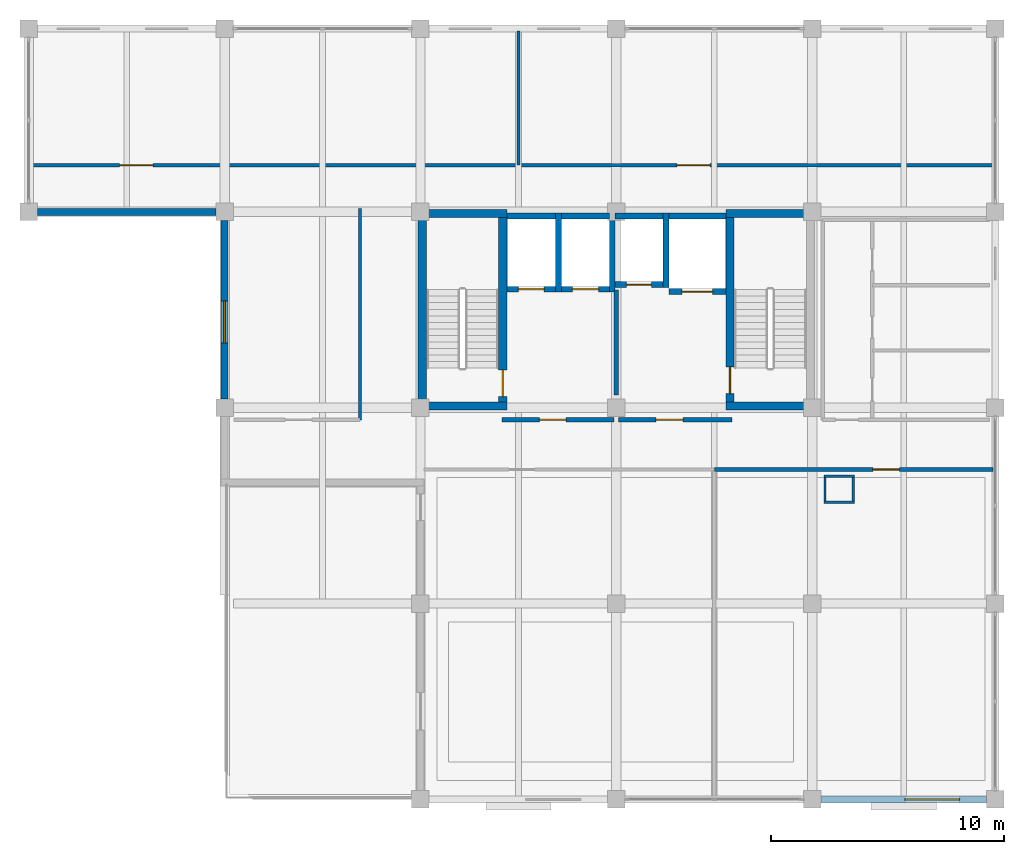
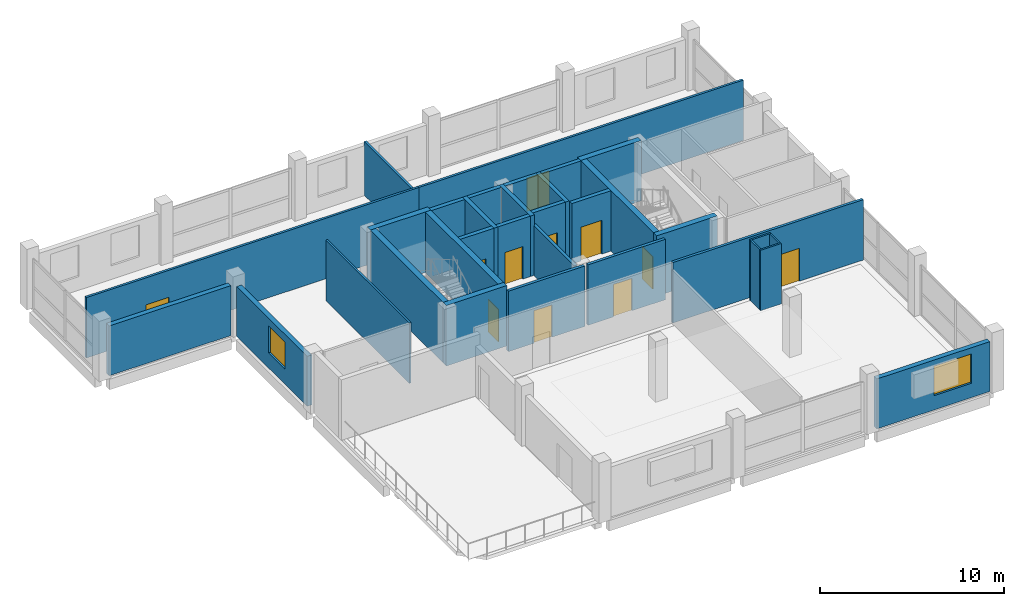
# One storey, part 7 of 10: 33 walls, 11 doors, 2 windows, 13 openings.
"""IFC4 building model written with IfcOpenShell, lengths in metres."""

from ifc_helpers import new_model, si_unit, direction, frame, frame_2d, origin, place, context, subcontext, project, spatial, rectangle, extrude, material, layer, layer_set, type_object, element, fill, save


model = new_model("IFC4")

# Units and contexts
model_context = context("Model", 3, precision=1e-05, world=origin(), true_north=direction((0.0, 1.0)))
body_context = subcontext(model_context, "Body", "Model", "MODEL_VIEW")
ifc_project = project(units=[si_unit("LENGTHUNIT", "METRE"), si_unit("AREAUNIT", "SQUARE_METRE"), si_unit("VOLUMEUNIT", "CUBIC_METRE"), si_unit("PLANEANGLEUNIT", "RADIAN"), si_unit("MASSUNIT", "GRAM", prefix="KILO")], contexts=[model_context])

# Site, building, storey
site_placement = place(None, origin())
site = spatial("IfcSite", under=ifc_project, at=site_placement, CompositionType="ELEMENT")
building_placement = place(site_placement, origin())
building = spatial("IfcBuilding", under=site, at=building_placement, Name="Brinegate Botanical Conservatory", CompositionType="ELEMENT")
storey_placement = place(building_placement, frame((0.0, 0.0, 44.39990234375)))
storey = spatial("IfcBuildingStorey", under=building, at=storey_placement, Name="L11", CompositionType="ELEMENT", Elevation=44.39990234375)

# Wall, opening, window
ifc_material_1 = material(Name="Insulated Minnan red clay brick masonry", Category="masonry")
ifc_layer_1 = layer(ifc_material_1, 0.300048828125, Name="Insulated Minnan red clay brick masonry", Category="masonry")
ifc_layer_set_1 = layer_set([ifc_layer_1], Name="Insulated Minnan red clay brick masonry")
wall_type_1 = type_object("IfcWallType", Name="Wall_EW-300B", PredefinedType="STANDARD", material=ifc_layer_set_1)
wall_1_placement = place(storey_placement, frame((163.074951171875, 78.39990234375, 0.0), z_axis=(0.0, 0.0, 1.0), x_axis=(-1.0, 0.0, 0.0)))
wall_1 = element("IfcWall", 1, at=wall_1_placement, inside=storey, type_object=wall_type_1, Name="Tower south facade wall L11.3", PredefinedType="STANDARD", context=body_context, shape_type="SweptSolid", body=[
    extrude(rectangle(XDim=7.099853515625, YDim=0.300048828125, at=frame_2d((3.5498046875, 0.0))), origin(), (0.0, 0.0, 1.0), 3.31005859375),
])
opening_1_placement = place(wall_1_placement, frame((1.14990234375, 0.0, 0.949951171875)))
opening_1 = element("IfcOpeningElement", 2, at=opening_1_placement, cuts=wall_1, Name="Opening WN-26", PredefinedType="OPENING", context=body_context, shape_type="SweptSolid", body=[
    extrude(rectangle(XDim=2.35009765625, YDim=1.949951171875, at=frame_2d((1.175048828125, 0.97509765625))), frame((0.0, 0.159912109375, 0.0), z_axis=(0.0, -1.0, 0.0), x_axis=(1.0, 0.0, 0.0)), (0.0, 0.0, 1.0), 0.320068359375),
])
ifc_material_2 = material(Name="Thermally broken aluminium-framed Low-E glass", Category="aluminium")
window_type_1 = type_object("IfcWindowType", Name="Win_WN-26", PartitioningType="TRIPLE_PANEL_VERTICAL", PredefinedType="WINDOW", material=ifc_material_2)
window_1_placement = place(opening_1_placement, origin())
window_1 = element("IfcWindow", 3, at=window_1_placement, inside=storey, type_object=window_type_1, Name="Tower south window L11.3", OverallHeight=1.949951171875, OverallWidth=2.35009765625, PartitioningType="TRIPLE_PANEL_VERTICAL", PredefinedType="WINDOW", context=body_context, shape_type="SweptSolid", body=[
    extrude(rectangle(XDim=2.35009765625, YDim=1.949951171875, at=frame_2d((1.175048828125, 0.97509765625))), frame((0.0, 0.030029296875, 0.0), z_axis=(0.0, -1.0, 0.0), x_axis=(1.0, 0.0, 0.0)), (0.0, 0.0, 1.0), 0.06005859375),
])
fill(opening_1, window_1)

wall_2_placement = place(storey_placement, frame((130.39990234375, 95.574951171875, 0.0), z_axis=(0.0, 0.0, 1.0), x_axis=(0.0, 1.0, 0.0)))
wall_2 = element("IfcWall", 4, at=wall_2_placement, inside=storey, type_object=wall_type_1, Name="Tower mid-west wall L11", PredefinedType="STANDARD", context=body_context, shape_type="SweptSolid", body=[
    extrude(rectangle(XDim=7.650146484375, YDim=0.300048828125, at=frame_2d((3.8251953125, 0.0))), origin(), (0.0, 0.0, 1.0), 3.31005859375),
])
opening_2_placement = place(wall_2_placement, frame((2.39990234375, 0.0, 1.0)))
opening_2 = element("IfcOpeningElement", 5, at=opening_2_placement, cuts=wall_2, Name="Opening WN-05", PredefinedType="OPENING", context=body_context, shape_type="SweptSolid", body=[
    extrude(rectangle(XDim=1.800048828125, YDim=1.800048828125, at=frame_2d((0.89990234375, 0.89990234375))), frame((0.0, 0.159912109375, 0.0), z_axis=(0.0, -1.0, 0.0), x_axis=(1.0, 0.0, 0.0)), (0.0, 0.0, 1.0), 0.320068359375),
])
window_type_2 = type_object("IfcWindowType", Name="Win_WN-05", PartitioningType="DOUBLE_PANEL_VERTICAL", PredefinedType="WINDOW", material=ifc_material_2)
window_2_placement = place(opening_2_placement, origin())
window_2 = element("IfcWindow", 6, at=window_2_placement, inside=storey, type_object=window_type_2, Name="Tower mid-west window L11", OverallHeight=1.800048828125, OverallWidth=1.800048828125, PartitioningType="DOUBLE_PANEL_VERTICAL", PredefinedType="WINDOW", context=body_context, shape_type="SweptSolid", body=[
    extrude(rectangle(XDim=1.800048828125, YDim=1.800048828125, at=frame_2d((0.89990234375, 0.89990234375))), frame((0.0, 0.030029296875, 0.0), z_axis=(0.0, -1.0, 0.0), x_axis=(1.0, 0.0, 0.0)), (0.0, 0.0, 1.0), 0.06005859375),
])
fill(opening_2, window_2)

# Walls
wall_3_placement = place(storey_placement, frame((130.02490234375, 103.60009765625, 0.0), z_axis=(0.0, 0.0, 1.0), x_axis=(-1.0, 0.0, 0.0)))
element("IfcWall", 7, at=wall_3_placement, inside=storey, type_object=wall_type_1, Name="Tower west setback return wall L11", PredefinedType="STANDARD", context=body_context, shape_type="SweptSolid", body=[
    extrude(rectangle(XDim=7.64990234375, YDim=0.300048828125, at=frame_2d((3.824951171875, 0.0))), origin(), (0.0, 0.0, 1.0), 3.31005859375),
])
ifc_material_3 = material(Name="Gypsum-clad steel-stud fire-rated shaft partition", Category="steel")
ifc_layer_2 = layer(ifc_material_3, 0.10498046875, Name="Gypsum-clad steel-stud fire-rated shaft partition", Category="steel")
ifc_layer_set_2 = layer_set([ifc_layer_2], Name="Gypsum-clad steel-stud fire-rated shaft partition")
wall_type_2 = type_object("IfcWallType", Name="Wall_PW-105", PredefinedType="PARTITIONING", material=ifc_layer_set_2)
for number, where, z_axis, x_axis, name in (
    (8, (156.094970703125, 91.1474609375, 0.0), (0.0, 0.0, 1.0), (1.0, 0.0, 0.0), "Service riser shaft wall L11 S"),
    (9, (156.094970703125, 92.25244140625, 0.0), (0.0, 0.0, 1.0), (1.0, 0.0, 0.0), "Service riser shaft wall L11 N"),
):
    element("IfcWall", number, at=place(storey_placement, frame(where, z_axis=z_axis, x_axis=x_axis)), inside=storey, type_object=wall_type_2, Name=name, PredefinedType="PARTITIONING", context=body_context, shape_type="SweptSolid", body=[
        extrude(rectangle(XDim=1.31005859375, YDim=0.10498046875, at=frame_2d((0.655029296875, 0.0))), origin(), (0.0, 0.0, 1.0), 4.010009765625),
    ])
for number, where, z_axis, x_axis, name in (
    (10, (156.1474609375, 91.199951171875, 0.0), (0.0, 0.0, 1.0), (0.0, 1.0, 0.0), "Service riser shaft wall L11 W"),
    (11, (157.3525390625, 91.199951171875, 0.0), (0.0, 0.0, 1.0), (0.0, 1.0, 0.0), "Service riser shaft wall L11 E"),
):
    element("IfcWall", number, at=place(storey_placement, frame(where, z_axis=z_axis, x_axis=x_axis)), inside=storey, type_object=wall_type_2, Name=name, PredefinedType="PARTITIONING", context=body_context, shape_type="SweptSolid", body=[
        extrude(rectangle(XDim=1.0, YDim=0.10498046875, at=frame_2d((0.5, 0.0))), origin(), (0.0, 0.0, 1.0), 4.010009765625),
    ])
ifc_material_4 = material(Name="Gypsum-clad steel-stud partition", Category="steel")
ifc_layer_3 = layer(ifc_material_4, 0.1201171875, Name="Gypsum-clad steel-stud partition", Category="steel")
ifc_layer_set_3 = layer_set([ifc_layer_3], Name="Gypsum-clad steel-stud partition")
wall_type_3 = type_object("IfcWallType", Name="Wall_PW-120", PredefinedType="PARTITIONING", material=ifc_layer_set_3)
wall_4_placement = place(storey_placement, frame((136.199951171875, 94.679931640625, 0.0), z_axis=(0.0, 0.0, 1.0), x_axis=(0.0, 1.0, 0.0)))
element("IfcWall", 12, at=wall_4_placement, inside=storey, type_object=wall_type_3, Name="Interior partition P-L11-XCORR-W", PredefinedType="PARTITIONING", context=body_context, shape_type="SweptSolid", body=[
    extrude(rectangle(XDim=9.070068359375, YDim=0.1201171875, at=frame_2d((4.53515625, 0.0))), origin(), (0.0, 0.0, 1.0), 4.010009765625),
])
ifc_layer_4 = layer(ifc_material_4, 0.135009765625, Name="Gypsum-clad steel-stud partition", Category="steel")
ifc_layer_set_4 = layer_set([ifc_layer_4], Name="Gypsum-clad steel-stud partition")
wall_type_4 = type_object("IfcWallType", Name="Wall_PW-135", PredefinedType="PARTITIONING", material=ifc_layer_set_4)
wall_5_placement = place(storey_placement, frame((143.0, 105.60009765625, 0.0), z_axis=(0.0, 0.0, 1.0), x_axis=(0.0, 1.0, 0.0)))
element("IfcWall", 13, at=wall_5_placement, inside=storey, type_object=wall_type_4, Name="Interior partition P-L11-NDIV-N2", PredefinedType="PARTITIONING", context=body_context, shape_type="SweptSolid", body=[
    extrude(rectangle(XDim=5.75, YDim=0.135009765625, at=frame_2d((2.875, 0.0))), origin(), (0.0, 0.0, 1.0), 3.56005859375),
])

# Wall, opening, door
ifc_material_5 = material(Name="Gypsum-clad acoustic steel-stud partition", Category="steel")
ifc_layer_5 = layer(ifc_material_5, 0.14501953125, Name="Gypsum-clad acoustic steel-stud partition", Category="steel")
ifc_layer_set_5 = layer_set([ifc_layer_5], Name="Gypsum-clad acoustic steel-stud partition")
wall_type_5 = type_object("IfcWallType", Name="Wall_PW-150", PredefinedType="PARTITIONING", material=ifc_layer_set_5)
wall_6_placement = place(storey_placement, frame((122.14990234375, 105.60009765625, 0.0), z_axis=(0.0, 0.0, 1.0), x_axis=(1.0, 0.0, 0.0)))
wall_6 = element("IfcWall", 14, at=wall_6_placement, inside=storey, type_object=wall_type_5, Name="Interior partition P-L11-NB-N1", PredefinedType="PARTITIONING", context=body_context, shape_type="SweptSolid", body=[
    extrude(rectangle(XDim=20.85009765625, YDim=0.14501953125, at=frame_2d((10.425048828125, 0.0))), origin(), (0.0, 0.0, 1.0), 4.010009765625),
])
opening_3_placement = place(wall_6_placement, frame((3.75, 0.0, 0.0)))
opening_3 = element("IfcOpeningElement", 15, at=opening_3_placement, cuts=wall_6, Name="Opening DR-09", PredefinedType="OPENING", context=body_context, shape_type="SweptSolid", body=[
    extrude(rectangle(XDim=1.419921875, YDim=2.219970703125, at=frame_2d((0.7099609375, 1.10986328125))), frame((0.0, 0.08251953125, 0.0), z_axis=(0.0, -1.0, 0.0), x_axis=(1.0, 0.0, 0.0)), (0.0, 0.0, 1.0), 0.1650390625),
])
ifc_material_6 = material(Name="Powder-coated steel leaf-and-a-half door", Category="steel")
door_type_1 = type_object("IfcDoorType", Name="Door_DR-09", OperationType="NOTDEFINED", PredefinedType="DOOR", material=ifc_material_6)
door_1_placement = place(opening_3_placement, origin())
door_1 = element("IfcDoor", 16, at=door_1_placement, inside=storey, type_object=door_type_1, Name="DR-P-L11-NB-N1-1", OperationType="SINGLE_SWING_LEFT", OverallHeight=2.219970703125, OverallWidth=1.419921875, PredefinedType="DOOR", context=body_context, shape_type="SweptSolid", body=[
    extrude(rectangle(XDim=1.419921875, YDim=2.219970703125, at=frame_2d((0.7099609375, 1.10986328125))), frame((0.0, 0.02490234375, 0.0), z_axis=(0.0, -1.0, 0.0), x_axis=(1.0, 0.0, 0.0)), (0.0, 0.0, 1.0), 0.050048828125),
])
fill(opening_3, door_1)

wall_7_placement = place(storey_placement, frame((143.0, 105.60009765625, 0.0), z_axis=(0.0, 0.0, 1.0), x_axis=(1.0, 0.0, 0.0)))
wall_7 = element("IfcWall", 17, at=wall_7_placement, inside=storey, type_object=wall_type_5, Name="Interior partition P-L11-NB-N2", PredefinedType="PARTITIONING", context=body_context, shape_type="SweptSolid", body=[
    extrude(rectangle(XDim=20.35009765625, YDim=0.14501953125, at=frame_2d((10.175048828125, 0.0))), origin(), (0.0, 0.0, 1.0), 4.010009765625),
])
opening_4_placement = place(wall_7_placement, frame((6.800048828125, 0.0, 0.0)))
opening_4 = element("IfcOpeningElement", 18, at=opening_4_placement, cuts=wall_7, Name="Opening DR-09", PredefinedType="OPENING", context=body_context, shape_type="SweptSolid", body=[
    extrude(rectangle(XDim=1.419921875, YDim=2.219970703125, at=frame_2d((0.7099609375, 1.10986328125))), frame((0.0, 0.08251953125, 0.0), z_axis=(0.0, -1.0, 0.0), x_axis=(1.0, 0.0, 0.0)), (0.0, 0.0, 1.0), 0.1650390625),
])
door_2_placement = place(opening_4_placement, origin())
door_2 = element("IfcDoor", 19, at=door_2_placement, inside=storey, type_object=door_type_1, Name="DR-P-L11-NB-N2-1", OperationType="SINGLE_SWING_RIGHT", OverallHeight=2.219970703125, OverallWidth=1.419921875, PredefinedType="DOOR", context=body_context, shape_type="SweptSolid", body=[
    extrude(rectangle(XDim=1.419921875, YDim=2.219970703125, at=frame_2d((0.7099609375, 1.10986328125))), frame((0.0, 0.02490234375, 0.0), z_axis=(0.0, -1.0, 0.0), x_axis=(1.0, 0.0, 0.0)), (0.0, 0.0, 1.0), 0.050048828125),
])
fill(opening_4, door_2)

ifc_layer_6 = layer(ifc_material_5, 0.1650390625, Name="Gypsum-clad acoustic steel-stud partition", Category="steel")
ifc_layer_set_6 = layer_set([ifc_layer_6], Name="Gypsum-clad acoustic steel-stud partition")
wall_type_6 = type_object("IfcWallType", Name="Wall_PW-165", PredefinedType="PARTITIONING", material=ifc_layer_set_6)
wall_8_placement = place(storey_placement, frame((151.39990234375, 92.550048828125, 0.0), z_axis=(0.0, 0.0, 1.0), x_axis=(1.0, 0.0, 0.0)))
wall_8 = element("IfcWall", 20, at=wall_8_placement, inside=storey, type_object=wall_type_6, Name="Interior partition P-L11-SB-S2", PredefinedType="PARTITIONING", context=body_context, shape_type="SweptSolid", body=[
    extrude(rectangle(XDim=11.9501953125, YDim=0.1650390625, at=frame_2d((5.97509765625, 0.0))), origin(), (0.0, 0.0, 1.0), 4.010009765625),
])
opening_5_placement = place(wall_8_placement, frame((6.800048828125, 0.0, 0.0)))
opening_5 = element("IfcOpeningElement", 21, at=opening_5_placement, cuts=wall_8, Name="Opening DR-17", PredefinedType="OPENING", context=body_context, shape_type="SweptSolid", body=[
    extrude(rectangle(XDim=1.139892578125, YDim=2.179931640625, at=frame_2d((0.56982421875, 1.08984375))), frame((0.0, 0.092529296875, 0.0), z_axis=(0.0, -1.0, 0.0), x_axis=(1.0, 0.0, 0.0)), (0.0, 0.0, 1.0), 0.18505859375),
])
ifc_material_7 = material(Name="Hardwood laboratory timber leaf", Category="wood")
door_type_2 = type_object("IfcDoorType", Name="Door_DR-17", OperationType="NOTDEFINED", PredefinedType="DOOR", material=ifc_material_7)
door_3_placement = place(opening_5_placement, origin())
door_3 = element("IfcDoor", 22, at=door_3_placement, inside=storey, type_object=door_type_2, Name="DR-P-L11-SB-S2-1", OperationType="SINGLE_SWING_LEFT", OverallHeight=2.179931640625, OverallWidth=1.139892578125, PredefinedType="DOOR", context=body_context, shape_type="SweptSolid", body=[
    extrude(rectangle(XDim=1.139892578125, YDim=2.179931640625, at=frame_2d((0.56982421875, 1.08984375))), frame((0.0, 0.02490234375, 0.0), z_axis=(0.0, -1.0, 0.0), x_axis=(1.0, 0.0, 0.0)), (0.0, 0.0, 1.0), 0.050048828125),
])
fill(opening_5, door_3)

ifc_material_8 = material(Name="Autoclaved aerated concrete C40/50 blockwork", Category="masonry")
ifc_layer_7 = layer(ifc_material_8, 0.179931640625, Name="Autoclaved aerated concrete C40/50 blockwork", Category="masonry")
ifc_layer_set_7 = layer_set([ifc_layer_7], Name="Autoclaved aerated concrete C40/50 blockwork")
wall_type_7 = type_object("IfcWallType", Name="Wall_PW-180F", PredefinedType="STANDARD", material=ifc_layer_set_7)
wall_9_placement = place(storey_placement, frame((142.300048828125, 94.679931640625, 0.0), z_axis=(0.0, 0.0, 1.0), x_axis=(1.0, 0.0, 0.0)))
wall_9 = element("IfcWall", 23, at=wall_9_placement, inside=storey, type_object=wall_type_7, Name="Interior partition P-L11-CORE-FF", PredefinedType="STANDARD", context=body_context, shape_type="SweptSolid", body=[
    extrude(rectangle(XDim=4.800048828125, YDim=0.179931640625, at=frame_2d((2.39990234375, 0.0))), origin(), (0.0, 0.0, 1.0), 4.010009765625),
])
opening_6_placement = place(wall_9_placement, frame((1.60009765625, 0.0, 0.0)))
opening_6 = element("IfcOpeningElement", 24, at=opening_6_placement, cuts=wall_9, Name="Opening FD-B1", PredefinedType="OPENING", context=body_context, shape_type="SweptSolid", body=[
    extrude(rectangle(XDim=1.14990234375, YDim=2.14990234375, at=frame_2d((0.574951171875, 1.074951171875))), frame((0.0, 0.099853515625, 0.0), z_axis=(0.0, -1.0, 0.0), x_axis=(1.0, 0.0, 0.0)), (0.0, 0.0, 1.0), 0.199951171875),
])
ifc_material_9 = material(Name="Steel smoke-proof fire door assembly", Category="steel")
door_type_3 = type_object("IfcDoorType", Name="Door_FD-B1", OperationType="NOTDEFINED", PredefinedType="DOOR", material=ifc_material_9)
door_4_placement = place(opening_6_placement, origin())
door_4 = element("IfcDoor", 25, at=door_4_placement, inside=storey, type_object=door_type_3, Name="DR-P-L11-CORE-FF-1", OperationType="SINGLE_SWING_LEFT", OverallHeight=2.14990234375, OverallWidth=1.14990234375, PredefinedType="DOOR", context=body_context, shape_type="SweptSolid", body=[
    extrude(rectangle(XDim=1.14990234375, YDim=2.14990234375, at=frame_2d((0.574951171875, 1.074951171875))), frame((0.0, 0.02490234375, 0.0), z_axis=(0.0, -1.0, 0.0), x_axis=(1.0, 0.0, 0.0)), (0.0, 0.0, 1.0), 0.050048828125),
])
fill(opening_6, door_4)

wall_10_placement = place(storey_placement, frame((147.300048828125, 94.679931640625, 0.0), z_axis=(0.0, 0.0, 1.0), x_axis=(1.0, 0.0, 0.0)))
wall_10 = element("IfcWall", 26, at=wall_10_placement, inside=storey, type_object=wall_type_7, Name="Interior partition P-L11-CORE-PAX", PredefinedType="STANDARD", context=body_context, shape_type="SweptSolid", body=[
    extrude(rectangle(XDim=4.849853515625, YDim=0.179931640625, at=frame_2d((2.4248046875, 0.0))), origin(), (0.0, 0.0, 1.0), 4.010009765625),
])
opening_7_placement = place(wall_10_placement, frame((1.60009765625, 0.0, 0.0)))
opening_7 = element("IfcOpeningElement", 27, at=opening_7_placement, cuts=wall_10, Name="Opening FD-B1", PredefinedType="OPENING", context=body_context, shape_type="SweptSolid", body=[
    extrude(rectangle(XDim=1.14990234375, YDim=2.14990234375, at=frame_2d((0.574951171875, 1.074951171875))), frame((0.0, 0.099853515625, 0.0), z_axis=(0.0, -1.0, 0.0), x_axis=(1.0, 0.0, 0.0)), (0.0, 0.0, 1.0), 0.199951171875),
])
door_5_placement = place(opening_7_placement, origin())
door_5 = element("IfcDoor", 28, at=door_5_placement, inside=storey, type_object=door_type_3, Name="DR-P-L11-CORE-PAX-1", OperationType="SINGLE_SWING_RIGHT", OverallHeight=2.14990234375, OverallWidth=1.14990234375, PredefinedType="DOOR", context=body_context, shape_type="SweptSolid", body=[
    extrude(rectangle(XDim=1.14990234375, YDim=2.14990234375, at=frame_2d((0.574951171875, 1.074951171875))), frame((0.0, 0.02490234375, 0.0), z_axis=(0.0, -1.0, 0.0), x_axis=(1.0, 0.0, 0.0)), (0.0, 0.0, 1.0), 0.050048828125),
])
fill(opening_7, door_5)

# Wall
wall_11_placement = place(storey_placement, frame((147.199951171875, 95.75, 0.0), z_axis=(0.0, 0.0, 1.0), x_axis=(0.0, 1.0, 0.0)))
element("IfcWall", 29, at=wall_11_placement, inside=storey, type_object=wall_type_7, Name="Interior partition P-L11-CORE-DIV", PredefinedType="STANDARD", context=body_context, shape_type="SweptSolid", body=[
    extrude(rectangle(XDim=4.5, YDim=0.179931640625, at=frame_2d((2.25, 0.0))), origin(), (0.0, 0.0, 1.0), 3.31005859375),
])

# Wall, opening, door
ifc_material_10 = material(Name="Concrete C40/50", Category="concrete")
ifc_layer_8 = layer(ifc_material_10, 0.25, Name="Concrete C40/50", Category="concrete")
ifc_layer_set_8 = layer_set([ifc_layer_8], Name="Concrete C40/50")
wall_type_8 = type_object("IfcWallType", Name="Wall_SW-250", PredefinedType="SHEAR", material=ifc_layer_set_8)
wall_12_placement = place(storey_placement, frame((142.5, 100.27490234375, 0.0), z_axis=(0.0, 0.0, 1.0), x_axis=(1.0, 0.0, 0.0)))
wall_12 = element("IfcWall", 30, at=wall_12_placement, inside=storey, type_object=wall_type_8, Name="Lift shaft LF1 shear wall L11 S", PredefinedType="SHEAR", context=body_context, shape_type="SweptSolid", body=[
    extrude(rectangle(XDim=2.10009765625, YDim=0.25, at=frame_2d((1.050048828125, 0.0))), origin(), (0.0, 0.0, 1.0), 4.010009765625),
])
opening_8_placement = place(wall_12_placement, frame((0.5, 0.0, 0.0)))
opening_8 = element("IfcOpeningElement", 31, at=opening_8_placement, cuts=wall_12, Name="Opening LD-01", PredefinedType="OPENING", context=body_context, shape_type="SweptSolid", body=[
    extrude(rectangle(XDim=1.10009765625, YDim=2.14990234375, at=frame_2d((0.550048828125, 1.074951171875))), frame((0.0, 0.135009765625, 0.0), z_axis=(0.0, -1.0, 0.0), x_axis=(1.0, 0.0, 0.0)), (0.0, 0.0, 1.0), 0.27001953125),
])
ifc_material_11 = material(Name="Brushed stainless steel S355 landing door", Category="steel")
door_type_4 = type_object("IfcDoorType", Name="Door_LD-01", OperationType="SLIDING_TO_LEFT", PredefinedType="DOOR", material=ifc_material_11)
door_6_placement = place(opening_8_placement, origin())
door_6 = element("IfcDoor", 32, at=door_6_placement, inside=storey, type_object=door_type_4, Name="LD-LF1-L11", OperationType="SLIDING_TO_LEFT", OverallHeight=2.14990234375, OverallWidth=1.10009765625, PredefinedType="DOOR", context=body_context, shape_type="SweptSolid", body=[
    extrude(rectangle(XDim=1.10009765625, YDim=2.14990234375, at=frame_2d((0.550048828125, 1.074951171875))), frame((0.0, 0.02490234375, 0.0), z_axis=(0.0, -1.0, 0.0), x_axis=(1.0, 0.0, 0.0)), (0.0, 0.0, 1.0), 0.050048828125),
])
fill(opening_8, door_6)

# Walls
wall_13_placement = place(storey_placement, frame((142.5, 103.425048828125, 0.0), z_axis=(0.0, 0.0, 1.0), x_axis=(1.0, 0.0, 0.0)))
element("IfcWall", 33, at=wall_13_placement, inside=storey, type_object=wall_type_8, Name="Lift shaft LF1 shear wall L11 N", PredefinedType="SHEAR", context=body_context, shape_type="SweptSolid", body=[
    extrude(rectangle(XDim=2.10009765625, YDim=0.25, at=frame_2d((1.050048828125, 0.0))), origin(), (0.0, 0.0, 1.0), 4.010009765625),
])
wall_14_placement = place(storey_placement, frame((144.72509765625, 100.14990234375, 0.0), z_axis=(0.0, 0.0, 1.0), x_axis=(0.0, 1.0, 0.0)))
element("IfcWall", 34, at=wall_14_placement, inside=storey, type_object=wall_type_8, Name="Lift shaft LF1 shear wall L11 E", PredefinedType="SHEAR", context=body_context, shape_type="SweptSolid", body=[
    extrude(rectangle(XDim=3.400146484375, YDim=0.25, at=frame_2d((1.7001953125, 0.0))), origin(), (0.0, 0.0, 1.0), 4.010009765625),
])

# Wall, opening, door
wall_15_placement = place(storey_placement, frame((144.85009765625, 100.27490234375, 0.0), z_axis=(0.0, 0.0, 1.0), x_axis=(1.0, 0.0, 0.0)))
wall_15 = element("IfcWall", 35, at=wall_15_placement, inside=storey, type_object=wall_type_8, Name="Lift shaft LF2 shear wall L11 S", PredefinedType="SHEAR", context=body_context, shape_type="SweptSolid", body=[
    extrude(rectangle(XDim=2.0498046875, YDim=0.25, at=frame_2d((1.02490234375, 0.0))), origin(), (0.0, 0.0, 1.0), 4.010009765625),
])
opening_9_placement = place(wall_15_placement, frame((0.465087890625, 0.0, 0.0)))
opening_9 = element("IfcOpeningElement", 36, at=opening_9_placement, cuts=wall_15, Name="Opening LD-02", PredefinedType="OPENING", context=body_context, shape_type="SweptSolid", body=[
    extrude(rectangle(XDim=1.1201171875, YDim=2.14990234375, at=frame_2d((0.56005859375, 1.074951171875))), frame((0.0, 0.135009765625, 0.0), z_axis=(0.0, -1.0, 0.0), x_axis=(1.0, 0.0, 0.0)), (0.0, 0.0, 1.0), 0.27001953125),
])
door_type_5 = type_object("IfcDoorType", Name="Door_LD-02", OperationType="SLIDING_TO_LEFT", PredefinedType="DOOR", material=ifc_material_11)
door_7_placement = place(opening_9_placement, origin())
door_7 = element("IfcDoor", 37, at=door_7_placement, inside=storey, type_object=door_type_5, Name="LD-LF2-L11", OperationType="SLIDING_TO_LEFT", OverallHeight=2.14990234375, OverallWidth=1.1201171875, PredefinedType="DOOR", context=body_context, shape_type="SweptSolid", body=[
    extrude(rectangle(XDim=1.1201171875, YDim=2.14990234375, at=frame_2d((0.56005859375, 1.074951171875))), frame((0.0, 0.02490234375, 0.0), z_axis=(0.0, -1.0, 0.0), x_axis=(1.0, 0.0, 0.0)), (0.0, 0.0, 1.0), 0.050048828125),
])
fill(opening_9, door_7)

# Walls
wall_16_placement = place(storey_placement, frame((144.85009765625, 103.425048828125, 0.0), z_axis=(0.0, 0.0, 1.0), x_axis=(1.0, 0.0, 0.0)))
element("IfcWall", 38, at=wall_16_placement, inside=storey, type_object=wall_type_8, Name="Lift shaft LF2 shear wall L11 N", PredefinedType="SHEAR", context=body_context, shape_type="SweptSolid", body=[
    extrude(rectangle(XDim=2.0498046875, YDim=0.25, at=frame_2d((1.02490234375, 0.0))), origin(), (0.0, 0.0, 1.0), 4.010009765625),
])
wall_17_placement = place(storey_placement, frame((147.02490234375, 100.14990234375, 0.0), z_axis=(0.0, 0.0, 1.0), x_axis=(0.0, 1.0, 0.0)))
element("IfcWall", 39, at=wall_17_placement, inside=storey, type_object=wall_type_8, Name="Lift shaft LF2 shear wall L11 E", PredefinedType="SHEAR", context=body_context, shape_type="SweptSolid", body=[
    extrude(rectangle(XDim=3.400146484375, YDim=0.25, at=frame_2d((1.7001953125, 0.0))), origin(), (0.0, 0.0, 1.0), 4.010009765625),
])

# Wall, opening, door
wall_18_placement = place(storey_placement, frame((147.14990234375, 100.47509765625, 0.0), z_axis=(0.0, 0.0, 1.0), x_axis=(1.0, 0.0, 0.0)))
wall_18 = element("IfcWall", 40, at=wall_18_placement, inside=storey, type_object=wall_type_8, Name="Lift shaft LF3 shear wall L11 S", PredefinedType="SHEAR", context=body_context, shape_type="SweptSolid", body=[
    extrude(rectangle(XDim=2.050048828125, YDim=0.25, at=frame_2d((1.02490234375, 0.0))), origin(), (0.0, 0.0, 1.0), 4.010009765625),
])
opening_10_placement = place(wall_18_placement, frame((0.4951171875, 0.0, 0.0)))
opening_10 = element("IfcOpeningElement", 41, at=opening_10_placement, cuts=wall_18, Name="Opening LD-03", PredefinedType="OPENING", context=body_context, shape_type="SweptSolid", body=[
    extrude(rectangle(XDim=1.06005859375, YDim=2.14990234375, at=frame_2d((0.530029296875, 1.074951171875))), frame((0.0, 0.135009765625, 0.0), z_axis=(0.0, -1.0, 0.0), x_axis=(1.0, 0.0, 0.0)), (0.0, 0.0, 1.0), 0.27001953125),
])
door_type_6 = type_object("IfcDoorType", Name="Door_LD-03", OperationType="SLIDING_TO_LEFT", PredefinedType="DOOR", material=ifc_material_11)
door_8_placement = place(opening_10_placement, origin())
door_8 = element("IfcDoor", 42, at=door_8_placement, inside=storey, type_object=door_type_6, Name="LD-LF3-L11", OperationType="SLIDING_TO_LEFT", OverallHeight=2.14990234375, OverallWidth=1.06005859375, PredefinedType="DOOR", context=body_context, shape_type="SweptSolid", body=[
    extrude(rectangle(XDim=1.06005859375, YDim=2.14990234375, at=frame_2d((0.530029296875, 1.074951171875))), frame((0.0, 0.02490234375, 0.0), z_axis=(0.0, -1.0, 0.0), x_axis=(1.0, 0.0, 0.0)), (0.0, 0.0, 1.0), 0.050048828125),
])
fill(opening_10, door_8)

# Walls
wall_19_placement = place(storey_placement, frame((147.14990234375, 103.425048828125, 0.0), z_axis=(0.0, 0.0, 1.0), x_axis=(1.0, 0.0, 0.0)))
element("IfcWall", 43, at=wall_19_placement, inside=storey, type_object=wall_type_8, Name="Lift shaft LF3 shear wall L11 N", PredefinedType="SHEAR", context=body_context, shape_type="SweptSolid", body=[
    extrude(rectangle(XDim=2.050048828125, YDim=0.25, at=frame_2d((1.02490234375, 0.0))), origin(), (0.0, 0.0, 1.0), 4.010009765625),
])
wall_20_placement = place(storey_placement, frame((149.324951171875, 100.35009765625, 0.0), z_axis=(0.0, 0.0, 1.0), x_axis=(0.0, 1.0, 0.0)))
element("IfcWall", 44, at=wall_20_placement, inside=storey, type_object=wall_type_8, Name="Lift shaft LF3 shear wall L11 E", PredefinedType="SHEAR", context=body_context, shape_type="SweptSolid", body=[
    extrude(rectangle(XDim=3.199951171875, YDim=0.25, at=frame_2d((1.60009765625, 0.0))), origin(), (0.0, 0.0, 1.0), 4.010009765625),
])

# Wall, opening, door
wall_21_placement = place(storey_placement, frame((149.449951171875, 100.175048828125, 0.0), z_axis=(0.0, 0.0, 1.0), x_axis=(1.0, 0.0, 0.0)))
wall_21 = element("IfcWall", 45, at=wall_21_placement, inside=storey, type_object=wall_type_8, Name="Lift shaft LF4 shear wall L11 S", PredefinedType="SHEAR", context=body_context, shape_type="SweptSolid", body=[
    extrude(rectangle(XDim=2.449951171875, YDim=0.25, at=frame_2d((1.22509765625, 0.0))), origin(), (0.0, 0.0, 1.0), 4.010009765625),
])
opening_11_placement = place(wall_21_placement, frame((0.574951171875, 0.0, 0.0)))
opening_11 = element("IfcOpeningElement", 46, at=opening_11_placement, cuts=wall_21, Name="Opening LD-04", PredefinedType="OPENING", context=body_context, shape_type="SweptSolid", body=[
    extrude(rectangle(XDim=1.300048828125, YDim=2.25, at=frame_2d((0.64990234375, 1.125))), frame((0.0, 0.135009765625, 0.0), z_axis=(0.0, -1.0, 0.0), x_axis=(1.0, 0.0, 0.0)), (0.0, 0.0, 1.0), 0.27001953125),
])
door_type_7 = type_object("IfcDoorType", Name="Door_LD-04", OperationType="SLIDING_TO_LEFT", PredefinedType="DOOR", material=ifc_material_11)
door_9_placement = place(opening_11_placement, origin())
door_9 = element("IfcDoor", 47, at=door_9_placement, inside=storey, type_object=door_type_7, Name="LD-LF4-L11", OperationType="SLIDING_TO_LEFT", OverallHeight=2.25, OverallWidth=1.300048828125, PredefinedType="DOOR", context=body_context, shape_type="SweptSolid", body=[
    extrude(rectangle(XDim=1.300048828125, YDim=2.25, at=frame_2d((0.64990234375, 1.125))), frame((0.0, 0.02490234375, 0.0), z_axis=(0.0, -1.0, 0.0), x_axis=(1.0, 0.0, 0.0)), (0.0, 0.0, 1.0), 0.050048828125),
])
fill(opening_11, door_9)

# Walls
wall_22_placement = place(storey_placement, frame((149.449951171875, 103.425048828125, 0.0), z_axis=(0.0, 0.0, 1.0), x_axis=(1.0, 0.0, 0.0)))
element("IfcWall", 48, at=wall_22_placement, inside=storey, type_object=wall_type_8, Name="Lift shaft LF4 shear wall L11 N", PredefinedType="SHEAR", context=body_context, shape_type="SweptSolid", body=[
    extrude(rectangle(XDim=2.449951171875, YDim=0.25, at=frame_2d((1.22509765625, 0.0))), origin(), (0.0, 0.0, 1.0), 4.010009765625),
])
ifc_layer_9 = layer(ifc_material_10, 0.35009765625, Name="Concrete C40/50", Category="concrete")
ifc_layer_set_9 = layer_set([ifc_layer_9], Name="Concrete C40/50")
wall_type_9 = type_object("IfcWallType", Name="Wall_SW-350", PredefinedType="SHEAR", material=ifc_layer_set_9)
for number, where, z_axis, x_axis, name in (
    (49, (138.699951171875, 95.27490234375, 0.0), (0.0, 0.0, 1.0), (1.0, 0.0, 0.0), "Stairwell ST1 shear wall L11 S"),
    (50, (138.699951171875, 103.52490234375, 0.0), (0.0, 0.0, 1.0), (1.0, 0.0, 0.0), "Stairwell ST1 shear wall L11 N"),
):
    element("IfcWall", number, at=place(storey_placement, frame(where, z_axis=z_axis, x_axis=x_axis)), inside=storey, type_object=wall_type_9, Name=name, PredefinedType="SHEAR", context=body_context, shape_type="SweptSolid", body=[
        extrude(rectangle(XDim=3.800048828125, YDim=0.35009765625, at=frame_2d((1.89990234375, 0.0))), origin(), (0.0, 0.0, 1.0), 4.010009765625),
    ])
wall_23_placement = place(storey_placement, frame((138.875, 95.449951171875, 0.0), z_axis=(0.0, 0.0, 1.0), x_axis=(0.0, 1.0, 0.0)))
element("IfcWall", 51, at=wall_23_placement, inside=storey, type_object=wall_type_9, Name="Stairwell ST1 shear wall L11 W", PredefinedType="SHEAR", context=body_context, shape_type="SweptSolid", body=[
    extrude(rectangle(XDim=7.900146484375, YDim=0.35009765625, at=frame_2d((3.9501953125, 0.0))), origin(), (0.0, 0.0, 1.0), 4.010009765625),
])

# Wall, opening, door
wall_24_placement = place(storey_placement, frame((142.324951171875, 95.449951171875, 0.0), z_axis=(0.0, 0.0, 1.0), x_axis=(0.0, 1.0, 0.0)))
wall_24 = element("IfcWall", 52, at=wall_24_placement, inside=storey, type_object=wall_type_9, Name="Stairwell ST1 shear wall L11 E", PredefinedType="SHEAR", context=body_context, shape_type="SweptSolid", body=[
    extrude(rectangle(XDim=7.900146484375, YDim=0.35009765625, at=frame_2d((3.9501953125, 0.0))), origin(), (0.0, 0.0, 1.0), 4.010009765625),
])
opening_12_placement = place(wall_24_placement, frame((0.219970703125, 0.0, 0.0)))
opening_12 = element("IfcOpeningElement", 53, at=opening_12_placement, cuts=wall_24, Name="Opening FD-B1", PredefinedType="OPENING", context=body_context, shape_type="SweptSolid", body=[
    extrude(rectangle(XDim=1.14990234375, YDim=2.14990234375, at=frame_2d((0.574951171875, 1.074951171875))), frame((0.0, 0.18505859375, 0.0), z_axis=(0.0, -1.0, 0.0), x_axis=(1.0, 0.0, 0.0)), (0.0, 0.0, 1.0), 0.3701171875),
])
door_10_placement = place(opening_12_placement, origin())
door_10 = element("IfcDoor", 54, at=door_10_placement, inside=storey, type_object=door_type_3, Name="DR-ST-ST1-L11", OperationType="SINGLE_SWING_LEFT", OverallHeight=2.14990234375, OverallWidth=1.14990234375, PredefinedType="DOOR", context=body_context, shape_type="SweptSolid", body=[
    extrude(rectangle(XDim=1.14990234375, YDim=2.14990234375, at=frame_2d((0.574951171875, 1.074951171875))), frame((0.0, 0.02490234375, 0.0), z_axis=(0.0, -1.0, 0.0), x_axis=(1.0, 0.0, 0.0)), (0.0, 0.0, 1.0), 0.050048828125),
])
fill(opening_12, door_10)

# Walls
for number, where, z_axis, x_axis, name in (
    (55, (151.89990234375, 95.27490234375, 0.0), (0.0, 0.0, 1.0), (1.0, 0.0, 0.0), "Stairwell ST2 shear wall L11 S"),
    (56, (151.89990234375, 103.52490234375, 0.0), (0.0, 0.0, 1.0), (1.0, 0.0, 0.0), "Stairwell ST2 shear wall L11 N"),
):
    element("IfcWall", number, at=place(storey_placement, frame(where, z_axis=z_axis, x_axis=x_axis)), inside=storey, type_object=wall_type_9, Name=name, PredefinedType="SHEAR", context=body_context, shape_type="SweptSolid", body=[
        extrude(rectangle(XDim=3.800048828125, YDim=0.35009765625, at=frame_2d((1.89990234375, 0.0))), origin(), (0.0, 0.0, 1.0), 4.010009765625),
    ])

# Wall, opening, door
wall_25_placement = place(storey_placement, frame((152.074951171875, 95.449951171875, 0.0), z_axis=(0.0, 0.0, 1.0), x_axis=(0.0, 1.0, 0.0)))
wall_25 = element("IfcWall", 57, at=wall_25_placement, inside=storey, type_object=wall_type_9, Name="Stairwell ST2 shear wall L11 W", PredefinedType="SHEAR", context=body_context, shape_type="SweptSolid", body=[
    extrude(rectangle(XDim=7.900146484375, YDim=0.35009765625, at=frame_2d((3.9501953125, 0.0))), origin(), (0.0, 0.0, 1.0), 4.010009765625),
])
opening_13_placement = place(wall_25_placement, frame((0.35009765625, 0.0, 0.0)))
opening_13 = element("IfcOpeningElement", 58, at=opening_13_placement, cuts=wall_25, Name="Opening FD-B1", PredefinedType="OPENING", context=body_context, shape_type="SweptSolid", body=[
    extrude(rectangle(XDim=1.14990234375, YDim=2.14990234375, at=frame_2d((0.574951171875, 1.074951171875))), frame((0.0, 0.18505859375, 0.0), z_axis=(0.0, -1.0, 0.0), x_axis=(1.0, 0.0, 0.0)), (0.0, 0.0, 1.0), 0.3701171875),
])
door_11_placement = place(opening_13_placement, origin())
door_11 = element("IfcDoor", 59, at=door_11_placement, inside=storey, type_object=door_type_3, Name="DR-ST-ST2-L11", OperationType="SINGLE_SWING_LEFT", OverallHeight=2.14990234375, OverallWidth=1.14990234375, PredefinedType="DOOR", context=body_context, shape_type="SweptSolid", body=[
    extrude(rectangle(XDim=1.14990234375, YDim=2.14990234375, at=frame_2d((0.574951171875, 1.074951171875))), frame((0.0, 0.02490234375, 0.0), z_axis=(0.0, -1.0, 0.0), x_axis=(1.0, 0.0, 0.0)), (0.0, 0.0, 1.0), 0.050048828125),
])
fill(opening_13, door_11)

save(model, "model.ifc")
